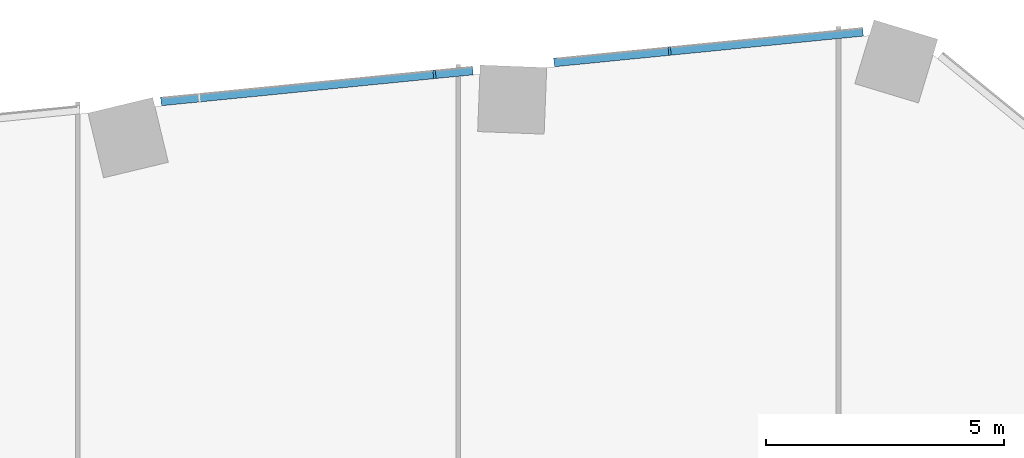
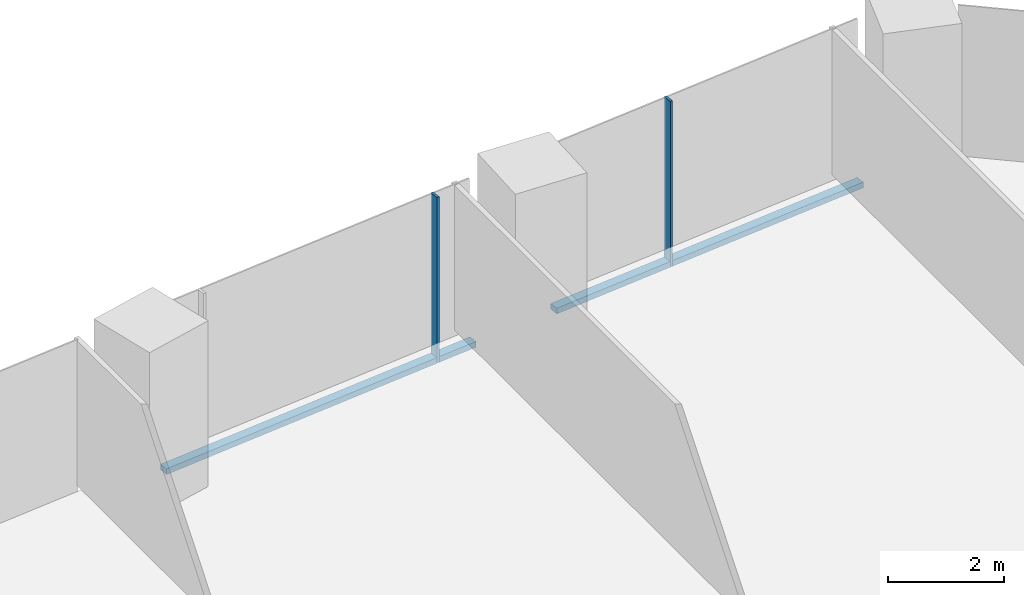
# One storey, part 13 of 34: 4 members, 1 element without a shape of its own.
"""IFC4 building model written with IfcOpenShell, lengths in metres."""

from ifc_helpers import new_model, si_unit, direction, frame, origin, origin_2d, place, context, subcontext, project, spatial, rectangle, extrude, material, material_profile, profile_set, type_object, element, aggregate, save


model = new_model("IFC4")

# Units and contexts
model_context = context("Model", 3, precision=1e-05, world=origin(), true_north=direction((0.0, 1.0)))
body_context = subcontext(model_context, "Body", "Model", "MODEL_VIEW")
ifc_project = project(units=[si_unit("LENGTHUNIT", "METRE"), si_unit("AREAUNIT", "SQUARE_METRE"), si_unit("VOLUMEUNIT", "CUBIC_METRE"), si_unit("PLANEANGLEUNIT", "RADIAN"), si_unit("MASSUNIT", "GRAM", prefix="KILO")], contexts=[model_context])

# Site, building, storey
site_placement = place(None, origin())
site = spatial("IfcSite", under=ifc_project, at=site_placement, CompositionType="ELEMENT")
building_placement = place(site_placement, origin())
building = spatial("IfcBuilding", under=site, at=building_placement, Name="Orlundy Tower", CompositionType="ELEMENT")
storey_placement = place(building_placement, frame((0.0, 0.0, 47.800048828125)))
storey = spatial("IfcBuildingStorey", under=building, at=storey_placement, Name="L10", CompositionType="ELEMENT", Elevation=47.800048828125)

# Curtain wall, members
ifc_material_1 = material(Name="Aluminium bronze anodised", Category="aluminium")
curtain_wall_type = type_object("IfcCurtainWallType", Name="CW1 wall", PredefinedType="NOTDEFINED", material=ifc_material_1)
curtain_wall_placement = place(storey_placement, origin())
curtain_wall = element("IfcCurtainWall", 1, at=curtain_wall_placement, inside=storey, type_object=curtain_wall_type, Name="CW1 run 03", PredefinedType="NOTDEFINED")
ifc_material_2 = material(Name="Aluminium bronze anodised", Category="aluminium")
ifc_material_profile_1 = material_profile(ifc_material_2, rectangle(XDim=0.179931640625, YDim=0.050048828125, at=origin_2d()), Name="CW1 mullion 50x180")
ifc_profile_set_1 = profile_set([ifc_material_profile_1], Name="Aluminium bronze anodised")
member_type_1 = type_object("IfcMemberType", Name="CW1 mullion 50x180", PredefinedType="MULLION", material=ifc_profile_set_1)
member_1_placement = place(storey_placement, frame((-0.498291015625, 30.18798828125, -0.420166015625), z_axis=(0.0, 0.0, 1.0), x_axis=(-0.098742763424, 0.995112991912, 0.0)))
member_1 = element("IfcMember", 2, at=member_1_placement, type_object=member_type_1, Name="CW1 mullion 17", PredefinedType="MULLION", context=body_context, shape_type="SweptSolid", body=[
    extrude(rectangle(XDim=0.179931640625, YDim=0.050048828125, at=origin_2d()), origin(), (0.0, 0.0, 1.0), 3.5),
])
member_2_placement = place(storey_placement, frame((4.447998046875, 30.6787109375, -0.420166015625), z_axis=(0.0, 0.0, 1.0), x_axis=(-0.098742763424, 0.995112991912, 0.0)))
member_2 = element("IfcMember", 3, at=member_2_placement, type_object=member_type_1, Name="CW1 mullion 18", PredefinedType="MULLION", context=body_context, shape_type="SweptSolid", body=[
    extrude(rectangle(XDim=0.179931640625, YDim=0.050048828125, at=origin_2d()), origin(), (0.0, 0.0, 1.0), 3.5),
])
ifc_material_3 = material(Name="Aluminium bronze anodised", Category="aluminium")
ifc_material_profile_2 = material_profile(ifc_material_3, rectangle(XDim=0.179931640625, YDim=0.1201171875, at=origin_2d()), Name="CW1 transom 180x120")
ifc_profile_set_2 = profile_set([ifc_material_profile_2], Name="Aluminium bronze anodised")
member_type_2 = type_object("IfcMemberType", Name="CW1 transom 180x120", PredefinedType="USERDEFINED", material=ifc_profile_set_2)
member_3_placement = place(storey_placement, frame((-6.2509765625, 29.6171875, -0.360107421875), z_axis=(0.995113533405, 0.098737306191, 0.0), x_axis=(-0.098737306191, 0.995113533405, 0.0)))
member_3 = element("IfcMember", 4, at=member_3_placement, type_object=member_type_2, Name="CW1 transom", ObjectType="TRANSOM", PredefinedType="USERDEFINED", context=body_context, shape_type="SweptSolid", body=[
    extrude(rectangle(XDim=0.179931640625, YDim=0.1201171875, at=origin_2d()), origin(), (0.0, 0.0, 1.0), 6.592041015625),
])
member_4_placement = place(storey_placement, frame((2.0166015625, 30.4375, -0.360107421875), z_axis=(0.995114612043, 0.098726434651, 0.0), x_axis=(-0.098726434651, 0.995114612043, 0.0)))
member_4 = element("IfcMember", 5, at=member_4_placement, type_object=member_type_2, Name="CW1 transom", ObjectType="TRANSOM", PredefinedType="USERDEFINED", context=body_context, shape_type="SweptSolid", body=[
    extrude(rectangle(XDim=0.179931640625, YDim=0.1201171875, at=origin_2d()), origin(), (0.0, 0.0, 1.0), 6.531005859375),
])
aggregate(curtain_wall, [member_1, member_2, member_3, member_4])

save(model, "model.ifc")
